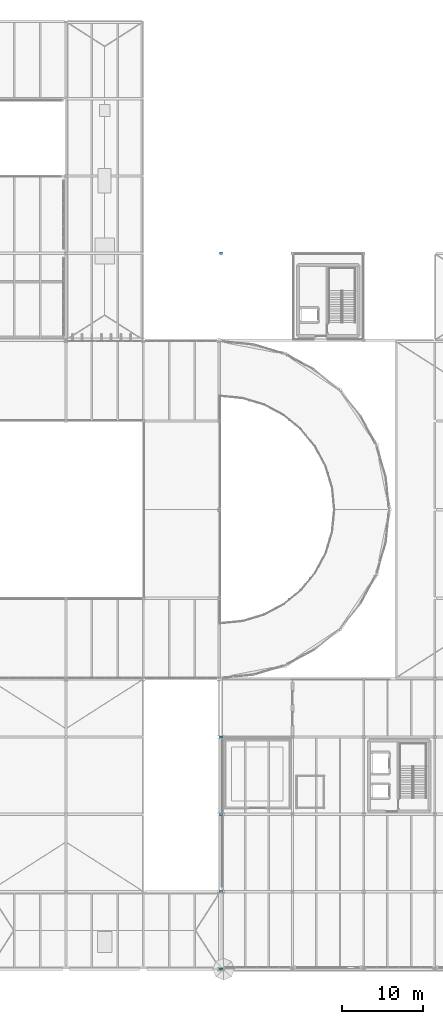
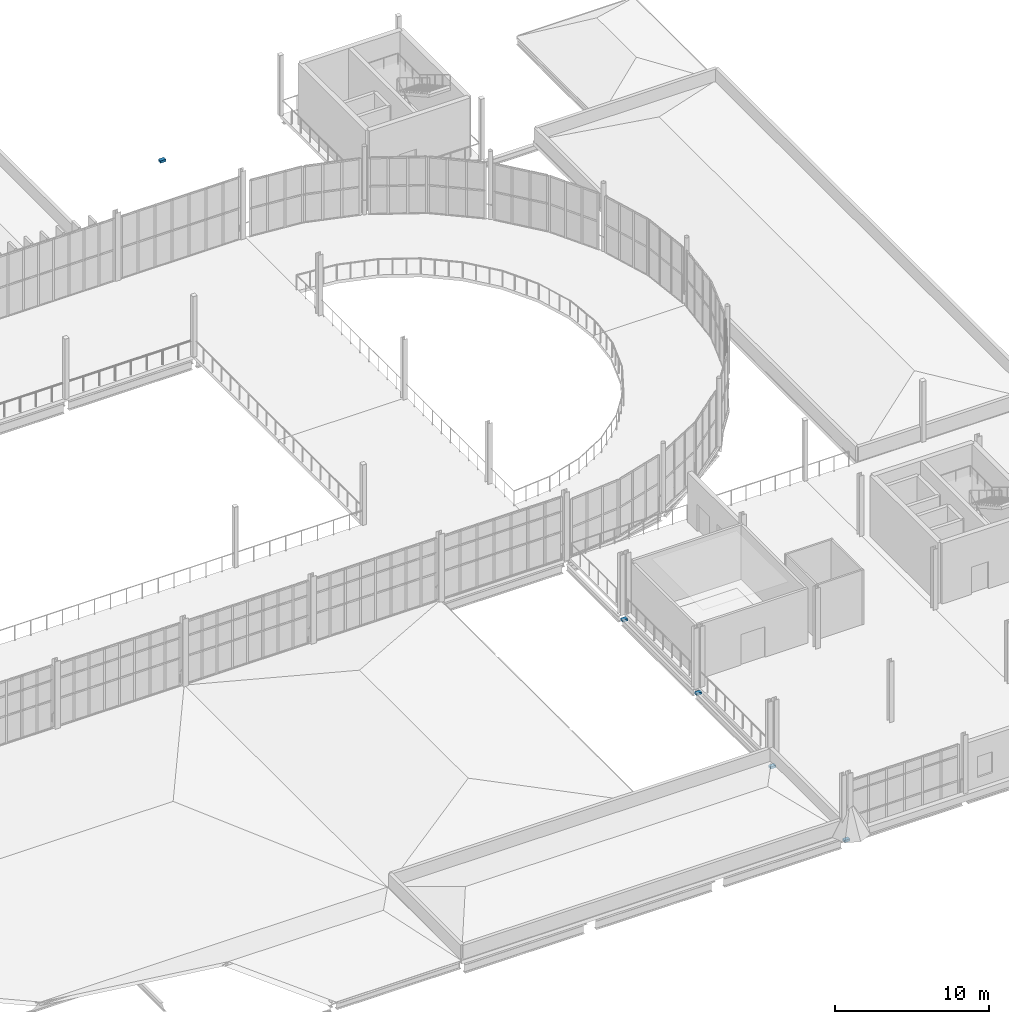
# One storey, part 101 of 112: 5 discrete accessories.
"""IFC4 building model written with IfcOpenShell, lengths in metres."""

from ifc_helpers import new_model, si_unit, direction, frame, origin, origin_2d, place, context, subcontext, project, spatial, rectangle, extrude, material, type_object, element, save


model = new_model("IFC4")

# Units and contexts
model_context = context("Model", 3, precision=1e-05, world=origin(), true_north=direction((0.0, 1.0)))
body_context = subcontext(model_context, "Body", "Model", "MODEL_VIEW")
ifc_project = project(units=[si_unit("LENGTHUNIT", "METRE"), si_unit("AREAUNIT", "SQUARE_METRE"), si_unit("VOLUMEUNIT", "CUBIC_METRE"), si_unit("PLANEANGLEUNIT", "RADIAN"), si_unit("MASSUNIT", "GRAM", prefix="KILO")], contexts=[model_context])

# Site, building, storey
site_placement = place(None, origin())
site = spatial("IfcSite", under=ifc_project, at=site_placement, CompositionType="ELEMENT")
building_placement = place(site_placement, origin())
building = spatial("IfcBuilding", under=site, at=building_placement, Name="Yeouljin Market Hall", CompositionType="ELEMENT")
storey_placement = place(building_placement, frame((0.0, 0.0, 6.0)))
storey = spatial("IfcBuildingStorey", under=building, at=storey_placement, Name="L01", CompositionType="ELEMENT", Elevation=6.0)

# Discrete accessories
ifc_material = material(Name="Steel SM355", Category="steel")
discrete_accessory_type = type_object("IfcDiscreteAccessoryType", Name="Bracket_MovementJoint_Shoe", PredefinedType="SHOE", material=ifc_material)
for number, where, z_axis, x_axis, name in (
    (1, (141.0400390625, 0.0, -0.58984375), (0.0, 0.0, 1.0), (1.0, 0.0, 0.0), "Unguided PTFE movement joint bearing L01"),
    (2, (141.0400390625, 9.60009765625, -0.58984375), (0.0, 0.0, 1.0), (1.0, 0.0, 0.0), "Unguided PTFE movement joint bearing L01"),
    (3, (141.0400390625, 19.199951171875, -0.58984375), (0.0, 0.0, 1.0), (1.0, 0.0, 0.0), "Unguided PTFE movement joint bearing L01"),
    (4, (141.0400390625, 28.800048828125, -0.58984375), (0.0, 0.0, 1.0), (1.0, 0.0, 0.0), "Unguided PTFE movement joint bearing L01"),
    (5, (141.0400390625, 88.800048828125, -0.58984375), (0.0, 0.0, 1.0), (1.0, 0.0, 0.0), "Unguided PTFE movement joint bearing L01"),
):
    element("IfcDiscreteAccessory", number, at=place(storey_placement, frame(where, z_axis=z_axis, x_axis=x_axis)), inside=storey, type_object=discrete_accessory_type, Name=name, PredefinedType="SHOE", context=body_context, shape_type="SweptSolid", body=[
        extrude(rectangle(XDim=0.419921875, YDim=0.280029296875, at=origin_2d()), origin(), (0.0, 0.0, 1.0), 0.179931640625),
    ])

save(model, "model.ifc")
